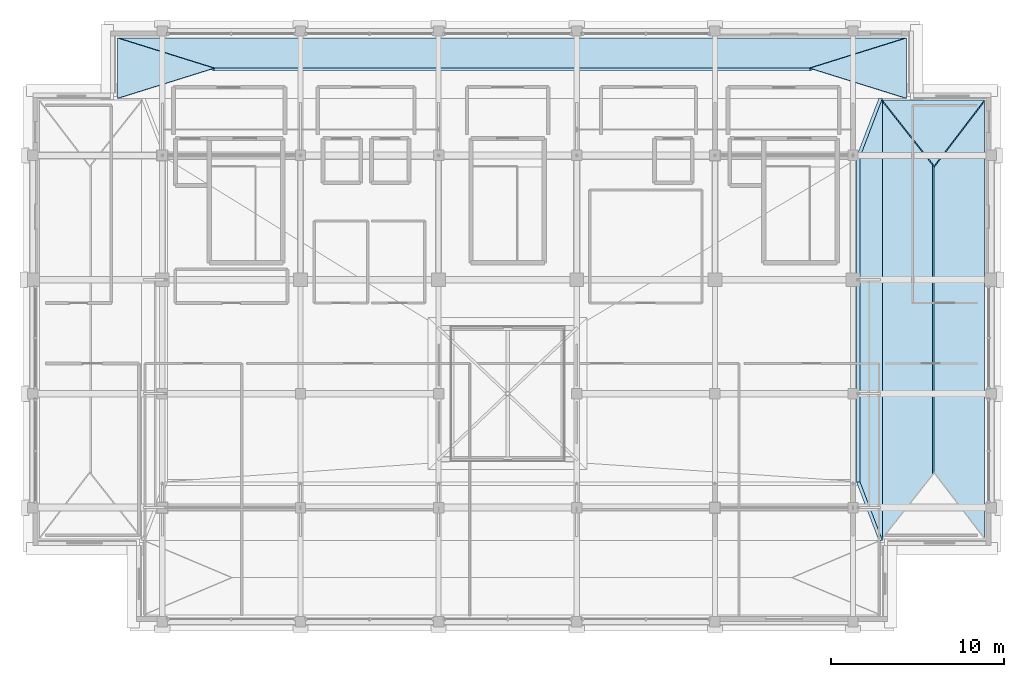
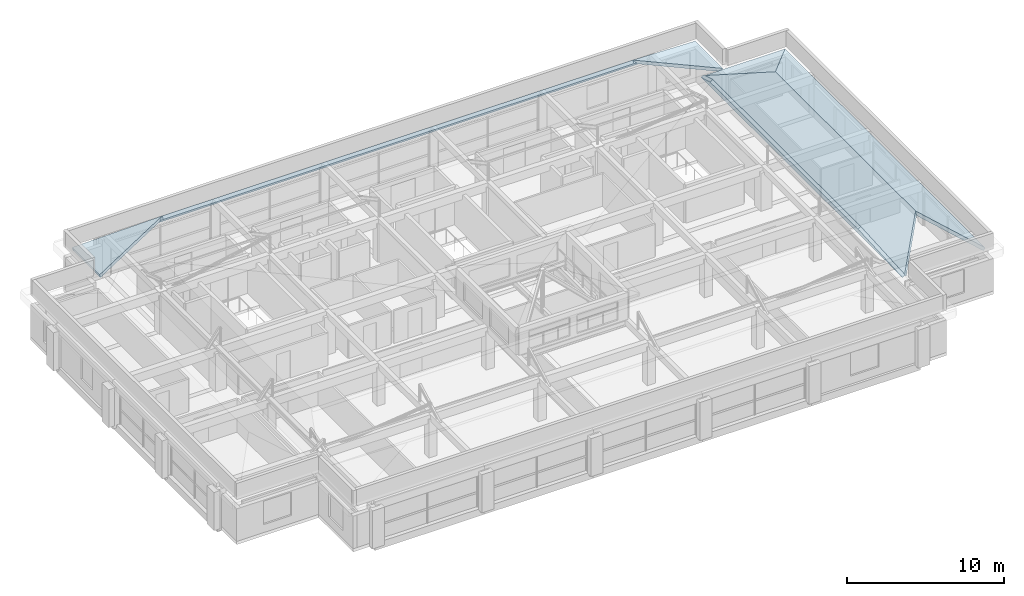
# One storey, part 38 of 39: 7 roofs.
"""IFC4 building model written with IfcOpenShell, lengths in metres."""

from ifc_helpers import new_model, si_unit, direction, frame, origin, place, context, subcontext, project, spatial, polyline, outline, extrude, material, layer, layer_set, type_object, element, save


model = new_model("IFC4")

# Units and contexts
model_context = context("Model", 3, precision=1e-05, world=origin(), true_north=direction((0.0, 1.0)))
body_context = subcontext(model_context, "Body", "Model", "MODEL_VIEW")
ifc_project = project(units=[si_unit("LENGTHUNIT", "METRE"), si_unit("AREAUNIT", "SQUARE_METRE"), si_unit("VOLUMEUNIT", "CUBIC_METRE"), si_unit("PLANEANGLEUNIT", "RADIAN"), si_unit("MASSUNIT", "GRAM", prefix="KILO")], contexts=[model_context])

# Site, building, storey
site_placement = place(None, origin())
site = spatial("IfcSite", under=ifc_project, at=site_placement, CompositionType="ELEMENT")
building_placement = place(site_placement, origin())
building = spatial("IfcBuilding", under=site, at=building_placement, Name="Akrevak Sports Hall", CompositionType="ELEMENT")
storey_placement = place(building_placement, frame((0.0, 0.0, 66.550048828125)))
storey = spatial("IfcBuildingStorey", under=building, at=storey_placement, Name="L17", CompositionType="ELEMENT", Elevation=66.550048828125)

# Roofs
ifc_material = material(Name="Standing Seam Slate-Zinc Roofing", Category="aluminium")
ifc_layer = layer(ifc_material, 0.239990234375, Name="Standing Seam Slate-Zinc Roofing")
ifc_layer_set = layer_set([ifc_layer], Name="Standing Seam Slate-Zinc Roofing")
roof_type = type_object("IfcRoofType", Name="ARC-ROOF-MANSARD", PredefinedType="MANSARD_ROOF", material=ifc_layer_set)
roof_1_placement = place(storey_placement, frame((101.699951171875, 40.10009765625, 3.25), z_axis=(0.855712971564, 0.0, 0.517450780556), x_axis=(0.0, 1.0, 0.0)))
element("IfcRoof", 1, at=roof_1_placement, inside=storey, type_object=roof_type, Name="Tower Crown Continuous Mansard Roof E", PredefinedType="MANSARD_ROOF", context=body_context, shape_type="SweptSolid", body=[
    extrude(outline(polyline([(0.0, 0.0), (25.599853515625, 0.0), (22.199951171875, 2.5124106040157783), (3.39990234375, 2.5124106040157783), (0.0, 0.0)])), origin(), (0.0, 0.0, -1.0), 0.239990234375),
])
roof_2_placement = place(storey_placement, frame((101.699951171875, 65.60009765625, 3.25), z_axis=(-0.459031465094, 0.0, 0.888420009935), x_axis=(0.0, -1.0, 0.0)))
element("IfcRoof", 2, at=roof_2_placement, inside=storey, type_object=roof_type, Name="Tower East Wing Mansard W Slope", PredefinedType="MANSARD_ROOF", context=body_context, shape_type="SweptSolid", body=[
    extrude(outline(polyline([(0.0, 0.0), (25.400146484375, 0.0), (21.60009765625, 3.376781214347724), (3.800048828125, 3.376781214347724), (0.0, 0.0)])), origin(), (0.0, 0.0, -1.0), 0.239990234375),
])
roof_3_placement = place(storey_placement, frame((107.60009765625, 40.199951171875, 3.25), z_axis=(0.47137030175, 0.0, 0.881935393682), x_axis=(0.0, 1.0, 0.0)))
element("IfcRoof", 3, at=roof_3_placement, inside=storey, type_object=roof_type, Name="Tower East Wing Mansard E Slope", PredefinedType="MANSARD_ROOF", context=body_context, shape_type="SweptSolid", body=[
    extrude(outline(polyline([(0.0, 0.0), (25.400146484375, 0.0), (21.60009765625, 3.288388815271752), (3.800048828125, 3.288388815271752), (0.0, 0.0)])), origin(), (0.0, 0.0, -1.0), 0.239990234375),
])
roof_4_placement = place(storey_placement, frame((107.60009765625, 65.60009765625, 3.25), z_axis=(0.0, 0.377689894655, 0.925932148419), x_axis=(-1.0, 0.0, 0.0)))
element("IfcRoof", 4, at=roof_4_placement, inside=storey, type_object=roof_type, Name="Tower East Wing Mansard N Slope", PredefinedType="MANSARD_ROOF", context=body_context, shape_type="SweptSolid", body=[
    extrude(outline(polyline([(0.0, 0.0), (5.900146484375, 0.0), (2.900146484375, 4.104025154126845), (0.0, 0.0)])), origin(), (0.0, 0.0, -1.0), 0.239990234375),
])
roof_5_placement = place(storey_placement, frame((103.10009765625, 69.199951171875, 3.25), z_axis=(0.0, 0.663046949769, 0.748577813191), x_axis=(-1.0, 0.0, 0.0)))
element("IfcRoof", 5, at=roof_5_placement, inside=storey, type_object=roof_type, Name="Tower North Frontispiece Mansard N Slope", PredefinedType="MANSARD_ROOF", context=body_context, shape_type="SweptSolid", body=[
    extrude(outline(polyline([(0.0, 0.0), (45.7001953125, 0.0), (40.10009765625, 2.337766320565785), (5.60009765625, 2.337766320565785), (0.0, 0.0)])), origin(), (0.0, 0.0, -1.0), 0.239990234375),
])
for number, where, z_axis, x_axis, name in (
    (6, (103.10009765625, 65.699951171875, 3.25), (0.266759609176, 0.0, 0.963763098958), (0.0, 1.0, 0.0), "Tower North Frontispiece Mansard E Slope"),
    (7, (57.39990234375, 69.199951171875, 3.25), (-0.266759609176, 0.0, 0.963763098958), (0.0, -1.0, 0.0), "Tower North Frontispiece Mansard W Slope"),
):
    element("IfcRoof", number, at=place(storey_placement, frame(where, z_axis=z_axis, x_axis=x_axis)), inside=storey, type_object=roof_type, Name=name, PredefinedType="MANSARD_ROOF", context=body_context, shape_type="SweptSolid", body=[
        extrude(outline(polyline([(0.0, 0.0), (3.5, 0.0), (1.75, 5.810657891246776), (0.0, 0.0)])), origin(), (0.0, 0.0, -1.0), 0.239990234375),
    ])

save(model, "model.ifc")
